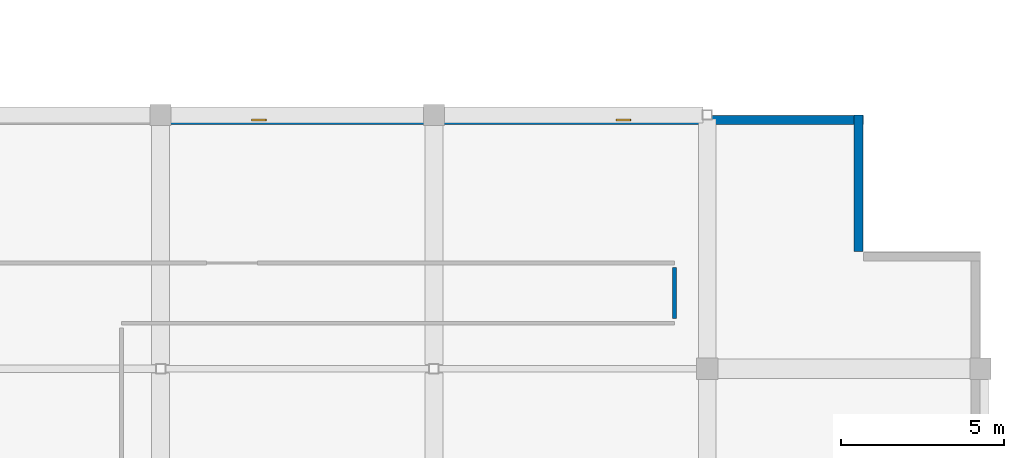
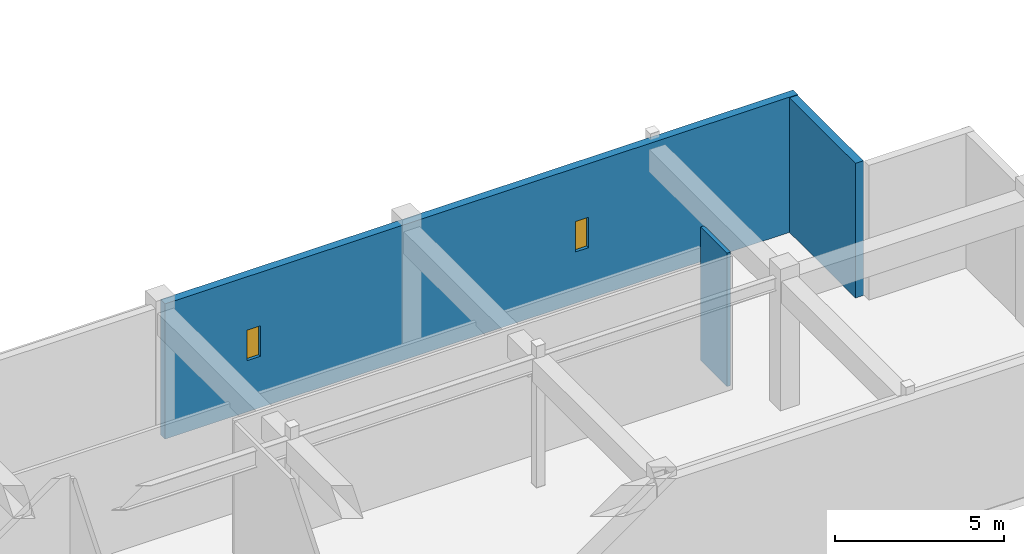
# One storey, part 85 of 103: 3 walls, 2 windows, 2 openings.
"""IFC4 building model written with IfcOpenShell, lengths in metres."""

from ifc_helpers import new_model, si_unit, direction, frame, frame_2d, origin, place, context, subcontext, project, spatial, rectangle, extrude, material, layer, layer_set, type_object, element, fill, save


model = new_model("IFC4")

# Units and contexts
model_context = context("Model", 3, precision=1e-05, world=origin(), true_north=direction((0.0, 1.0)))
body_context = subcontext(model_context, "Body", "Model", "MODEL_VIEW")
ifc_project = project(units=[si_unit("LENGTHUNIT", "METRE"), si_unit("AREAUNIT", "SQUARE_METRE"), si_unit("VOLUMEUNIT", "CUBIC_METRE"), si_unit("PLANEANGLEUNIT", "RADIAN"), si_unit("MASSUNIT", "GRAM", prefix="KILO")], contexts=[model_context])

# Site, building, storey
site_placement = place(None, origin())
site = spatial("IfcSite", under=ifc_project, at=site_placement, CompositionType="ELEMENT")
building_placement = place(site_placement, origin())
building = spatial("IfcBuilding", under=site, at=building_placement, Name="Quendrovan Civic Courthouse", CompositionType="ELEMENT")
storey_placement = place(building_placement, frame((0.0, 0.0, 15.300048828125)))
storey = spatial("IfcBuildingStorey", under=building, at=storey_placement, Name="L04", CompositionType="ELEMENT", Elevation=15.300048828125)

# Wall, openings, windows
ifc_material_1 = material(Name="Concrete C40/50", Category="concrete")
ifc_layer_1 = layer(ifc_material_1, 0.27001953125, Name="Concrete C40/50")
ifc_layer_set_1 = layer_set([ifc_layer_1], Name="Concrete C40/50")
wall_type_1 = type_object("IfcWallType", Name="WL-EXT-RC270", PredefinedType="SOLIDWALL", material=ifc_layer_set_1)
wall_1_placement = place(storey_placement, frame((42.0, 15.445068359375, 0.0), z_axis=(0.0, 0.0, 1.0), x_axis=(1.0, 0.0, 0.0)))
wall_1 = element("IfcWall", 1, at=wall_1_placement, inside=storey, type_object=wall_type_1, Name="L04 Exterior Precast Concrete Wall 353", PredefinedType="SOLIDWALL", context=body_context, shape_type="SweptSolid", body=[
    extrude(rectangle(XDim=21.60009765625, YDim=0.27001953125, at=frame_2d((10.800048828125, 0.0))), origin(), (0.0, 0.0, 1.0), 4.8798828125),
])
opening_1_placement = place(wall_1_placement, frame((2.800048828125, 0.0, 1.85009765625)))
opening_1 = element("IfcOpeningElement", 2, at=opening_1_placement, cuts=wall_1, Name="Opening WS01", PredefinedType="OPENING", context=body_context, shape_type="SweptSolid", body=[
    extrude(rectangle(XDim=0.449951171875, YDim=1.10009765625, at=frame_2d((0.22509765625, 0.550048828125))), frame((0.0, 0.14501953125, 0.0), z_axis=(0.0, -1.0, 0.0), x_axis=(1.0, 0.0, 0.0)), (0.0, 0.0, 1.0), 0.2900390625),
])
opening_2_placement = place(wall_1_placement, frame((14.0, 0.0, 1.85009765625)))
opening_2 = element("IfcOpeningElement", 3, at=opening_2_placement, cuts=wall_1, Name="Opening WS01", PredefinedType="OPENING", context=body_context, shape_type="SweptSolid", body=[
    extrude(rectangle(XDim=0.449951171875, YDim=1.10009765625, at=frame_2d((0.22509765625, 0.550048828125))), frame((0.0, 0.14501953125, 0.0), z_axis=(0.0, -1.0, 0.0), x_axis=(1.0, 0.0, 0.0)), (0.0, 0.0, 1.0), 0.2900390625),
])
ifc_material_2 = material(Name="Polycarbonate laminated security glass", Category="glass")
window_type = type_object("IfcWindowType", Name="WIN-SEC-SLOT", PartitioningType="SINGLE_PANEL", PredefinedType="WINDOW", material=ifc_material_2)
window_1_placement = place(opening_1_placement, origin())
window_1 = element("IfcWindow", 4, at=window_1_placement, inside=storey, type_object=window_type, Name="L04 Custody High-Sill Security Window 0021", OverallHeight=1.10009765625, OverallWidth=0.449951171875, PartitioningType="SINGLE_PANEL", PredefinedType="WINDOW", context=body_context, shape_type="SweptSolid", body=[
    extrude(rectangle(XDim=0.449951171875, YDim=1.10009765625, at=frame_2d((0.22509765625, 0.550048828125))), frame((0.0, 0.030029296875, 0.0), z_axis=(0.0, -1.0, 0.0), x_axis=(1.0, 0.0, 0.0)), (0.0, 0.0, 1.0), 0.06005859375),
])
fill(opening_1, window_1)
window_2_placement = place(opening_2_placement, origin())
window_2 = element("IfcWindow", 5, at=window_2_placement, inside=storey, type_object=window_type, Name="L04 Custody High-Sill Security Window 0022", OverallHeight=1.10009765625, OverallWidth=0.449951171875, PartitioningType="SINGLE_PANEL", PredefinedType="WINDOW", context=body_context, shape_type="SweptSolid", body=[
    extrude(rectangle(XDim=0.449951171875, YDim=1.10009765625, at=frame_2d((0.22509765625, 0.550048828125))), frame((0.0, 0.030029296875, 0.0), z_axis=(0.0, -1.0, 0.0), x_axis=(1.0, 0.0, 0.0)), (0.0, 0.0, 1.0), 0.06005859375),
])
fill(opening_2, window_2)

# Walls
wall_2_placement = place(storey_placement, frame((63.445068359375, 15.60009765625, 0.0), z_axis=(0.0, 0.0, 1.0), x_axis=(0.0, -1.0, 0.0)))
element("IfcWall", 6, at=wall_2_placement, inside=storey, type_object=wall_type_1, Name="L04 Exterior Precast Concrete Wall 354", PredefinedType="SOLIDWALL", context=body_context, shape_type="SweptSolid", body=[
    extrude(rectangle(XDim=4.2001953125, YDim=0.27001953125, at=frame_2d((2.10009765625, 0.0))), origin(), (0.0, 0.0, 1.0), 4.85986328125),
])
ifc_material_3 = material(Name="Acoustic glazed-head stud partition")
ifc_layer_2 = layer(ifc_material_3, 0.1201171875, Name="Acoustic glazed-head stud partition")
ifc_layer_set_2 = layer_set([ifc_layer_2], Name="Acoustic glazed-head stud partition")
wall_type_2 = type_object("IfcWallType", Name="WL-LIB-120", PredefinedType="PARTITIONING", material=ifc_layer_set_2)
wall_3_placement = place(storey_placement, frame((57.800048828125, 9.340087890625, 0.0), z_axis=(0.0, 0.0, 1.0), x_axis=(0.0, 1.0, 0.0)))
element("IfcWall", 7, at=wall_3_placement, inside=storey, type_object=wall_type_2, Name="L04 Law Library Open Book Stacks Partition 0647", PredefinedType="PARTITIONING", context=body_context, shape_type="SweptSolid", body=[
    extrude(rectangle(XDim=1.56982421875, YDim=0.1201171875, at=frame_2d((0.784912109375, 0.0))), origin(), (0.0, 0.0, 1.0), 4.820068359375),
])

save(model, "model.ifc")
